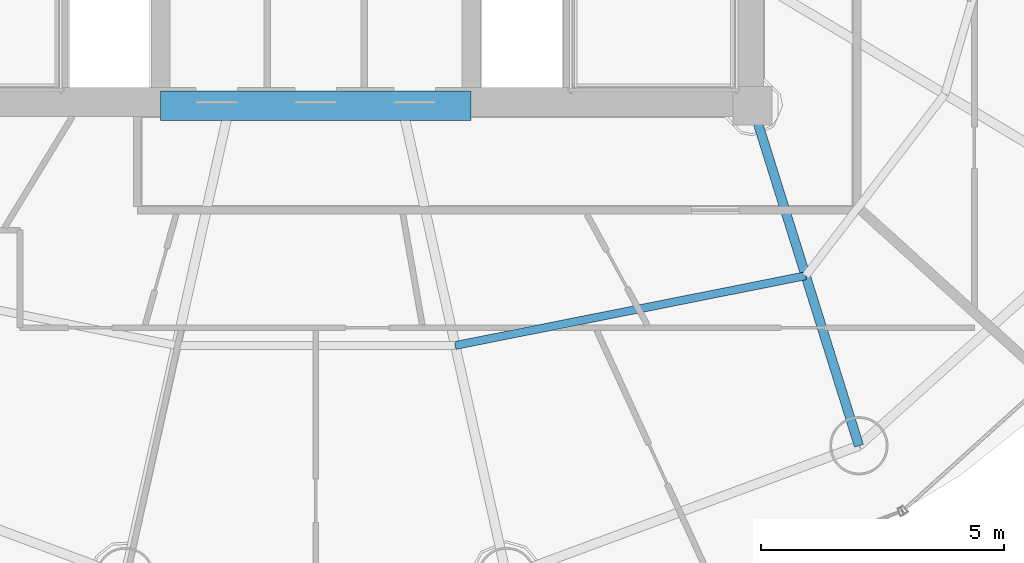
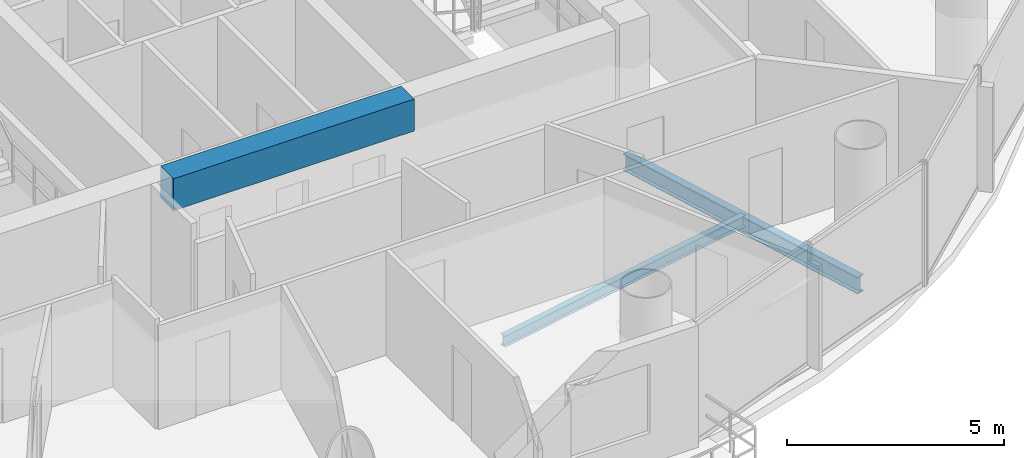
# One storey, part 6 of 26: 3 beams.
"""IFC4 building model written with IfcOpenShell, lengths in metres."""

import ifcopenshell
import ifcopenshell.guid

model = None  # the IFC model being written
_history = None  # IfcOwnerHistory: only IFC2X3 demands one
_inside = {}  # id of a spatial element -> (the spatial element, [elements in it])
_under = {}  # id of a project, library or spatial element -> (it, [spatial elements below it])
_declared = {}  # id of a project -> (the project, [libraries it declares])
_typed = {}  # id of a type object -> (the type object, [elements of that type])
_made_of = {}  # id of a material, layer set ... -> (it, [elements and type objects made of it])


def new_model(schema):
    """Start an empty IFC model of exactly this schema.

    Asked for "IFC4X3", IfcOpenShell would pick the latest addendum, in which some entities
    have other attributes; the version numbers below select the first issue.
    IFC2X3 requires an IfcOwnerHistory on every rooted entity: one is made here for all.
    """
    global model, _history
    if schema == "IFC4X3":
        model = ifcopenshell.file(schema_version=(4, 3, 0, 0))
    else:
        model = ifcopenshell.file(schema=schema)
    _inside.clear()
    _under.clear()
    _declared.clear()
    _typed.clear()
    _made_of.clear()
    _history = None
    if model.schema == "IFC2X3":
        org = make("IfcOrganization", Name="unknown")
        user = make(
            "IfcPersonAndOrganization",
            ThePerson=make("IfcPerson", FamilyName="unknown"),
            TheOrganization=org,
        )
        app = make(
            "IfcApplication",
            ApplicationDeveloper=org,
            Version="unknown",
            ApplicationFullName="unknown",
            ApplicationIdentifier="unknown",
        )
        _history = make(
            "IfcOwnerHistory",
            OwningUser=user,
            OwningApplication=app,
            ChangeAction="ADDED",
            CreationDate=0,
        )
    return model


def make(cls, **values):
    """One entity of the class cls with the attributes given. An attribute that is None is left unset."""
    return model.create_entity(
        cls, **{name: value for name, value in values.items() if value is not None}
    )


def rooted(cls, **values):
    """An entity with a GlobalId (a new one), such as an element, a storey or a relation."""
    return make(cls, GlobalId=ifcopenshell.guid.new(), OwnerHistory=_history, **values)


def si_unit(unit_type, name, prefix=None):
    """IfcSIUnit, for example si_unit("LENGTHUNIT", "METRE", prefix="MILLI")."""
    return make("IfcSIUnit", UnitType=unit_type, Prefix=prefix, Name=name)


def assignment(units):
    """IfcUnitAssignment: the units of a project."""
    return None if units is None else make("IfcUnitAssignment", Units=units)


def point(xyz):
    """IfcCartesianPoint."""
    return None if xyz is None else make("IfcCartesianPoint", Coordinates=xyz)


def direction(xyz):
    """IfcDirection."""
    return None if xyz is None else make("IfcDirection", DirectionRatios=xyz)


def frame(location, z_axis=None, x_axis=None):
    """IfcAxis2Placement3D, a coordinate frame: its origin and axes. An axis left out is left unset."""
    return make(
        "IfcAxis2Placement3D",
        Location=point(location),
        Axis=direction(z_axis),
        RefDirection=direction(x_axis),
    )


def frame_2d(location, x_axis=None):
    """IfcAxis2Placement2D, a coordinate frame in the plane: its origin and x axis."""
    return make(
        "IfcAxis2Placement2D", Location=point(location), RefDirection=direction(x_axis)
    )


def origin():
    """The frame at (0, 0, 0) with its axes left unset."""
    return frame((0.0, 0.0, 0.0))


def origin_2d():
    """The frame at (0, 0) in the plane with its x axis left unset."""
    return frame_2d((0.0, 0.0))


def place(relative_to, where):
    """IfcLocalPlacement: puts the frame where relative to a parent placement (None: the world)."""
    return make(
        "IfcLocalPlacement", PlacementRelTo=relative_to, RelativePlacement=where
    )


def context(
    kind, dimensions, precision=None, world=None, true_north=None, identifier=None
):
    """IfcGeometricRepresentationContext, for example the 3D "Model" context."""
    return make(
        "IfcGeometricRepresentationContext",
        ContextIdentifier=identifier,
        ContextType=kind,
        CoordinateSpaceDimension=dimensions,
        Precision=precision,
        WorldCoordinateSystem=world,
        TrueNorth=true_north,
    )


def subcontext(parent, identifier, kind, view, scale=None):
    """IfcGeometricRepresentationSubContext, for example "Body" below "Model"."""
    return make(
        "IfcGeometricRepresentationSubContext",
        ContextIdentifier=identifier,
        ContextType=kind,
        ParentContext=parent,
        TargetScale=scale,
        TargetView=view,
    )


def project(units=None, contexts=None):
    """IfcProject with its units and contexts."""
    return rooted(
        "IfcProject",
        Name="project",
        RepresentationContexts=contexts,
        UnitsInContext=assignment(units),
    )


def spatial(cls, under=None, at=None, **own):
    """A site, building, storey or space (cls), placed at a placement, below another one or the project."""
    s = rooted(cls, ObjectPlacement=at, **own)
    if under is not None:
        _under.setdefault(under.id(), (under, []))[1].append(s)
    return s


def profile(cls, at=None, kind="AREA", **sizes):
    """A parametric profile (cls). Its sizes go by their IFC names, for example OverallWidth=200.0."""
    return make(cls, ProfileType=kind, Position=at, **sizes)


def rectangle(**sizes):
    """IfcRectangleProfileDef."""
    return profile("IfcRectangleProfileDef", **sizes)


def i_section(**sizes):
    """IfcIShapeProfileDef."""
    return profile("IfcIShapeProfileDef", **sizes)


def extrude(swept, where, along, depth):
    """IfcExtrudedAreaSolid: the profile swept, set in the frame where, extruded along a direction by depth."""
    return make(
        "IfcExtrudedAreaSolid",
        SweptArea=swept,
        Position=where,
        ExtrudedDirection=direction(along),
        Depth=depth,
    )


def shape(context_of_items, identifier, shape_type, items):
    """IfcShapeRepresentation: the items that make up one representation, for example the "Body"."""
    return make(
        "IfcShapeRepresentation",
        ContextOfItems=context_of_items,
        RepresentationIdentifier=identifier,
        RepresentationType=shape_type,
        Items=items,
    )


def material(Name=None, Category=None):
    """IfcMaterial."""
    return make("IfcMaterial", Name=Name, Category=Category)


def material_profile(
    of_material, cross_section, Name=None, Category=None, Priority=None
):
    """IfcMaterialProfile: a cross section and its material."""
    return make(
        "IfcMaterialProfile",
        Name=Name,
        Material=of_material,
        Profile=cross_section,
        Priority=Priority,
        Category=Category,
    )


def profile_set(profiles, Name=None, composite=None):
    """IfcMaterialProfileSet."""
    return make(
        "IfcMaterialProfileSet",
        Name=Name,
        MaterialProfiles=profiles,
        CompositeProfile=composite,
    )


def made_of(thing, what):
    """Note that an element or type object is made of a material, layer set ...; save() writes the relation."""
    if what is not None:
        _made_of.setdefault(what.id(), (what, []))[1].append(thing)
    return thing


def type_object(cls, material=None, **own):
    """A type object (cls), such as IfcWallType, which elements share."""
    return made_of(rooted(cls, **own), material)


def element(
    cls,
    number,
    at=None,
    inside=None,
    cuts=None,
    type_object=None,
    material=None,
    context=None,
    identifier="Body",
    shape_type=None,
    held_by="IfcProductDefinitionShape",
    body=None,
    shapes=None,
    **own,
):
    """One element of the class cls, such as IfcWall. Its Tag is "e" and its number.

    at: its placement. inside: the storey or other place that contains it. cuts: it is an
    opening in that element (IfcRelVoidsElement). A single representation is given by context,
    identifier, shape_type and body (its items); several are given by shapes. held_by: the class
    of the entity that holds the representations. save() writes the other relations.
    """
    e = rooted(cls, Tag="e%d" % number, ObjectPlacement=at, **own)
    if body is not None:
        shapes = [shape(context, identifier, shape_type, body)]
    if shapes is not None:
        e.Representation = make(held_by, Representations=shapes)
    if inside is not None:
        _inside.setdefault(inside.id(), (inside, []))[1].append(e)
    if cuts is not None:
        rooted(
            "IfcRelVoidsElement", RelatingBuildingElement=cuts, RelatedOpeningElement=e
        )
    if type_object is not None:
        _typed.setdefault(type_object.id(), (type_object, []))[1].append(e)
    return made_of(e, material)


def aggregate(whole, parts):
    """IfcRelAggregates: a whole, such as a stair, and the parts it consists of."""
    return rooted("IfcRelAggregates", RelatingObject=whole, RelatedObjects=parts)


def save(model, path):
    """Write the relations noted so far, then the file.

    IfcRelAggregates (storeys below a building ...), IfcRelContainedInSpatialStructure (elements
    in a storey), IfcRelDefinesByType, IfcRelAssociatesMaterial and IfcRelDeclares: one each for
    every whole, place, type object, material and project.
    """
    for whole, parts in _under.values():
        aggregate(whole, parts)
    for where, things in _inside.values():
        rooted(
            "IfcRelContainedInSpatialStructure",
            RelatedElements=things,
            RelatingStructure=where,
        )
    for kind, things in _typed.values():
        rooted("IfcRelDefinesByType", RelatedObjects=things, RelatingType=kind)
    for what, things in _made_of.values():
        rooted("IfcRelAssociatesMaterial", RelatedObjects=things, RelatingMaterial=what)
    for by, libraries in _declared.values():
        rooted("IfcRelDeclares", RelatingContext=by, RelatedDefinitions=libraries)
    model.write(path)


model = new_model("IFC4")

# Units and contexts
model_context = context("Model", 3, precision=1e-05, world=origin(), true_north=direction((-0.2419218956, 0.970295726276)))
body_context = subcontext(model_context, "Body", "Model", "MODEL_VIEW")
ifc_project = project(units=[si_unit("LENGTHUNIT", "METRE"), si_unit("AREAUNIT", "SQUARE_METRE"), si_unit("VOLUMEUNIT", "CUBIC_METRE"), si_unit("PLANEANGLEUNIT", "RADIAN"), si_unit("MASSUNIT", "GRAM", prefix="KILO")], contexts=[model_context])

# Site, building, storey
site_placement = place(None, origin())
site = spatial("IfcSite", under=ifc_project, at=site_placement, CompositionType="ELEMENT")
building_placement = place(site_placement, origin())
building = spatial("IfcBuilding", under=site, at=building_placement, Name="Cobrevalo Terracotta Tower", CompositionType="ELEMENT")
storey_placement = place(building_placement, frame((0.0, 0.0, 206.0)))
storey = spatial("IfcBuildingStorey", under=building, at=storey_placement, Name="L54", CompositionType="ELEMENT", Elevation=206.0)

# Beams
ifc_material_1 = material(Name="Concrete C60", Category="concrete")
ifc_material_profile_1 = material_profile(ifc_material_1, rectangle(XDim=0.60009765625, YDim=0.89990234375, at=origin_2d()), Name="RC CB 600x900")
ifc_profile_set_1 = profile_set([ifc_material_profile_1], Name="Concrete C60")
beam_type_1 = type_object("IfcBeamType", Name="Structural Beam RC CB 600x900 (Concrete C60)", PredefinedType="BEAM", material=ifc_profile_set_1)
beam_1_placement = place(storey_placement, frame((34.800048828125, 18.800048828125, 2.985107421875), z_axis=(1.0, 0.0, 0.0), x_axis=(0.0, 1.0, 0.0)))
element("IfcBeam", 1, at=beam_1_placement, inside=storey, type_object=beam_type_1, Name="L54 core coupling beam 1", PredefinedType="BEAM", context=body_context, shape_type="SweptSolid", body=[
    extrude(rectangle(XDim=0.60009765625, YDim=0.89990234375, at=origin_2d()), origin(), (0.0, 0.0, 1.0), 6.39990234375),
])
ifc_material_2 = material(Name="Steel S355", Category="steel")
ifc_material_profile_2 = material_profile(ifc_material_2, i_section(OverallWidth=0.194091796875, OverallDepth=0.468994140625, WebThickness=0.011474609375, FlangeThickness=0.0205078125, at=origin_2d()), Name="W 460x106")
ifc_profile_set_2 = profile_set([ifc_material_profile_2], Name="Steel S355")
beam_type_2 = type_object("IfcBeamType", Name="Structural Beam W 460x106 (Steel S355)", PredefinedType="BEAM", material=ifc_profile_set_2)
beam_2_placement = place(storey_placement, frame((49.19482421875, 11.7919921875, -0.49951171875), z_axis=(-0.298871212691, 0.954293454984, 0.0), x_axis=(-0.954293454984, -0.298871212691, 0.0)))
element("IfcBeam", 2, at=beam_2_placement, inside=storey, type_object=beam_type_2, Name="L54 radial floor girder 14", PredefinedType="BEAM", context=body_context, shape_type="SweptSolid", body=[
    extrude(i_section(OverallWidth=0.194091796875, OverallDepth=0.468994140625, WebThickness=0.011474609375, FlangeThickness=0.0205078125, at=origin_2d()), origin(), (0.0, 0.0, 1.0), 7.34375),
])
ifc_material_profile_3 = material_profile(ifc_material_2, i_section(OverallWidth=0.1650390625, OverallDepth=0.31005859375, WebThickness=0.005859375, FlangeThickness=0.009765625, at=origin_2d()), Name="W 310x38.7")
ifc_profile_set_3 = profile_set([ifc_material_profile_3], Name="Steel S355")
beam_type_3 = type_object("IfcBeamType", Name="Structural Joist W 310x38.7 (Steel S355)", PredefinedType="JOIST", material=ifc_profile_set_3)
beam_3_placement = place(storey_placement, frame((40.873779296875, 13.8583984375, -0.419921875), z_axis=(0.980768907748, 0.195172614871, 0.0), x_axis=(-0.195172614871, 0.980768907748, 0.0)))
element("IfcBeam", 3, at=beam_3_placement, inside=storey, type_object=beam_type_3, Name="L54 circumferential secondary floor joist 13", PredefinedType="JOIST", context=body_context, shape_type="SweptSolid", body=[
    extrude(i_section(OverallWidth=0.1650390625, OverallDepth=0.31005859375, WebThickness=0.005859375, FlangeThickness=0.009765625, at=origin_2d()), origin(), (0.0, 0.0, 1.0), 7.365234375),
])

save(model, "model.ifc")
